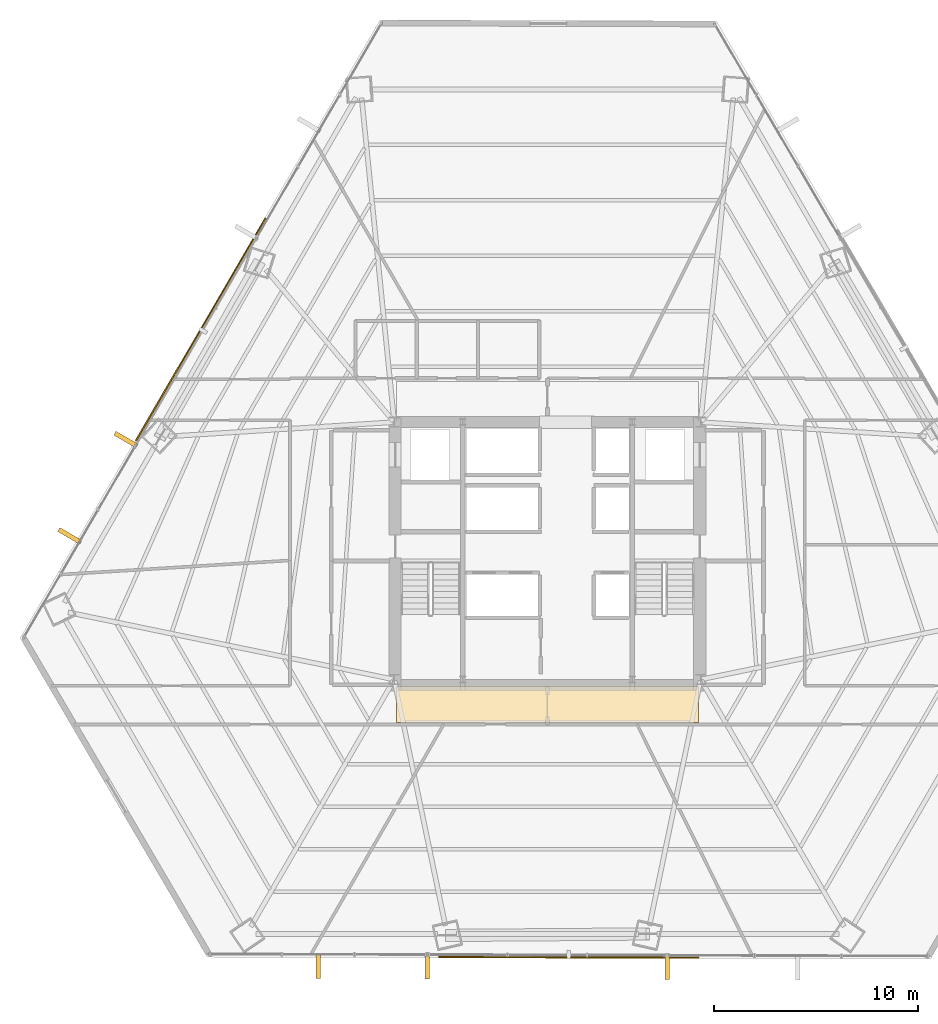
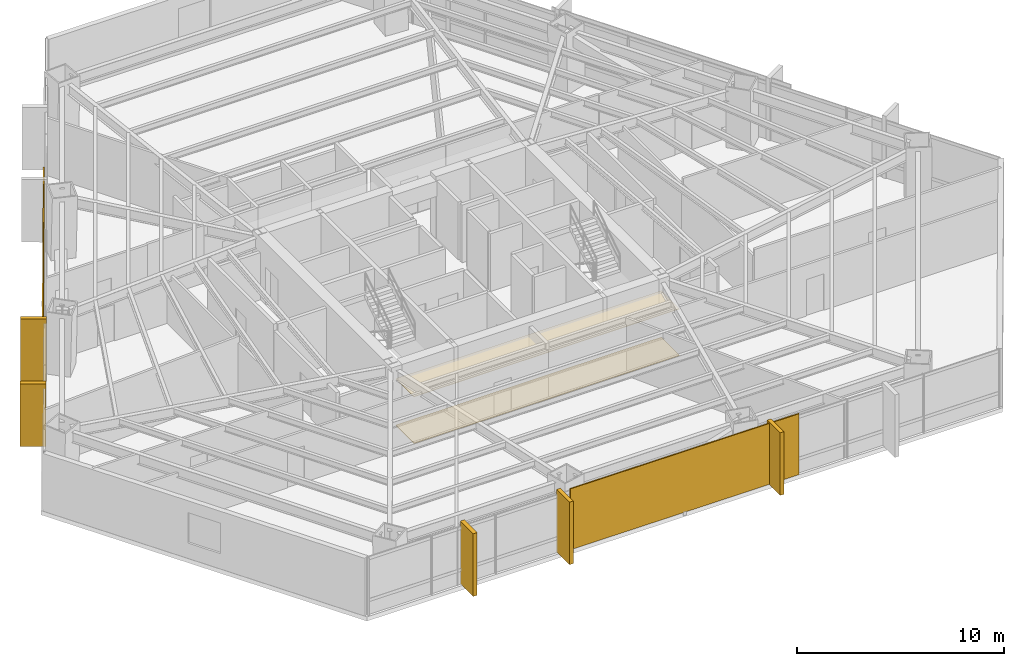
# One storey, part 27 of 29: 7 coverings, 2 shading devices.
"""IFC4 building model written with IfcOpenShell, lengths in metres."""

from ifc_helpers import new_model, si_unit, direction, frame, origin, origin_2d, place, context, subcontext, project, spatial, polyline, rectangle, outline, extrude, source, transform, mapped, material, layer, layer_set, type_object, type_shapes, element, save


model = new_model("IFC4")

# Units and contexts
model_context = context("Model", 3, precision=1e-05, world=origin(), true_north=direction((0.0, 1.0)))
body_context = subcontext(model_context, "Body", "Model", "MODEL_VIEW")
ifc_project = project(units=[si_unit("LENGTHUNIT", "METRE"), si_unit("AREAUNIT", "SQUARE_METRE"), si_unit("VOLUMEUNIT", "CUBIC_METRE"), si_unit("PLANEANGLEUNIT", "RADIAN"), si_unit("MASSUNIT", "GRAM", prefix="KILO")], contexts=[model_context])

# Site, building, storey
site_placement = place(None, origin())
site = spatial("IfcSite", under=ifc_project, at=site_placement, CompositionType="ELEMENT")
building_placement = place(site_placement, origin())
building = spatial("IfcBuilding", under=site, at=building_placement, Name="Caelisora Broadcast Tower", CompositionType="ELEMENT")
storey_placement = place(building_placement, frame((0.0, 0.0, 31.25)))
storey = spatial("IfcBuildingStorey", under=building, at=storey_placement, Name="L07", CompositionType="ELEMENT", Elevation=31.25)

# Coverings
ifc_material_1 = material(Name="Perforated Mineral-Fibre Acoustic Ceiling Tile", Category="gypsum")
ifc_layer_1 = layer(ifc_material_1, 0.034912109375, Name="Perforated Mineral-Fibre Acoustic Ceiling Tile")
ifc_layer_set_1 = layer_set([ifc_layer_1], Name="Perforated Mineral-Fibre Acoustic Ceiling Tile")
covering_type_1 = type_object("IfcCoveringType", Name="CE-1", PredefinedType="CEILING", material=ifc_layer_set_1)
covering_1_placement = place(storey_placement, frame((0.0, 0.0, 2.75)))
element("IfcCovering", 1, at=covering_1_placement, inside=storey, type_object=covering_type_1, Name="L07 acoustic corridor ceiling CE-1 (S)", PredefinedType="CEILING", context=body_context, shape_type="SweptSolid", body=[
    extrude(outline(polyline([(30.60009765625, 15.300048828125), (45.39990234375, 15.300048828125), (45.39990234375, 17.050048828125), (30.60009765625, 17.050048828125), (30.60009765625, 15.300048828125)])), origin(), (0.0, 0.0, 1.0), 0.034912109375),
])
ifc_material_2 = material(Name="Anti-Static Broadcast Raised Access Floor Panel", Category="steel")
ifc_layer_2 = layer(ifc_material_2, 0.044921875, Name="Anti-Static Broadcast Raised Access Floor Panel")
ifc_layer_set_2 = layer_set([ifc_layer_2], Name="Anti-Static Broadcast Raised Access Floor Panel")
covering_type_2 = type_object("IfcCoveringType", Name="FL-1", PredefinedType="FLOORING", material=ifc_layer_set_2)
covering_2_placement = place(storey_placement, origin())
element("IfcCovering", 2, at=covering_2_placement, inside=storey, type_object=covering_type_2, Name="L07 broadcast raised access floor FL-1 (S)", PredefinedType="FLOORING", context=body_context, shape_type="SweptSolid", body=[
    extrude(outline(polyline([(30.60009765625, 15.300048828125), (45.39990234375, 15.300048828125), (45.39990234375, 17.050048828125), (30.60009765625, 17.050048828125), (30.60009765625, 15.300048828125)])), origin(), (0.0, 0.0, 1.0), 0.044921875),
])
ifc_material_3 = material(Name="Kiln-Fired Terracotta Spandrel Rainscreen Cladding", Category="ceramic")
ifc_layer_3 = layer(ifc_material_3, 0.044921875, Name="Kiln-Fired Terracotta Spandrel Rainscreen Cladding")
ifc_layer_set_3 = layer_set([ifc_layer_3], Name="Kiln-Fired Terracotta Spandrel Rainscreen Cladding")
covering_type_3 = type_object("IfcCoveringType", Name="CL-1", PredefinedType="CLADDING", material=ifc_layer_set_3)
shared_shape_1 = source(origin(), body_context, "Body", "SweptSolid", [
    extrude(rectangle(XDim=0.219970703125, YDim=1.25, at=origin_2d()), origin(), (0.0, 0.0, 1.0), 3.68994140625),
])
type_shapes(covering_type_3, [shared_shape_1])
for number, where, z_axis, x_axis, name in (
    (3, (43.864501953125, 3.334228515625, -0.02001953125), (0.0, 0.0, 1.0), (-0.9999961009, 0.002792523174, 0.0), "L07 vertical solar fin cladding #2-2"),
    (4, (32.127197265625, 3.366455078125, -0.02001953125), (0.0, 0.0, 1.0), (-0.9999961009, 0.002792523174, 0.0), "L07 vertical solar fin cladding #2-3"),
    (5, (26.775390625, 3.38134765625, -0.02001953125), (0.0, 0.0, 1.0), (-0.9999961009, 0.002792523174, 0.0), "L07 vertical solar fin cladding #2-4"),
    (6, (14.6171875, 24.4287109375, -0.02001953125), (0.0, 0.0, 1.0), (0.503321604797, 0.864099162217, 0.0), "L07 vertical solar fin cladding #3-1"),
    (7, (17.363037109375, 29.143798828125, -0.02001953125), (0.0, 0.0, 1.0), (0.503321604797, 0.864099162217, 0.0), "L07 vertical solar fin cladding #3-2"),
):
    element("IfcCovering", number, at=place(storey_placement, frame(where, z_axis=z_axis, x_axis=x_axis)), inside=storey, type_object=covering_type_3, Name=name, PredefinedType="CLADDING", context=body_context, shape_type="MappedRepresentation", body=[
        mapped(shared_shape_1, transform((0.0, 0.0, 0.0), scale=1.0)),
    ])

# Shading devices
ifc_material_4 = material(Name="Perforated Glazed Terracotta Baguette Solar Screen", Category="ceramic")
ifc_layer_4 = layer(ifc_material_4, 0.06494140625, Name="Perforated Glazed Terracotta Baguette Solar Screen")
ifc_layer_set_4 = layer_set([ifc_layer_4], Name="Perforated Glazed Terracotta Baguette Solar Screen")
shading_device_type = type_object("IfcShadingDeviceType", Name="SS-1", PredefinedType="USERDEFINED", material=ifc_layer_set_4)
shared_shape_2 = source(origin(), body_context, "Body", "SweptSolid", [
    extrude(rectangle(XDim=12.60400390625, YDim=0.06494140625, at=origin_2d()), origin(), (0.0, 0.0, 1.0), 3.590087890625),
])
shading_device_1_placement = place(storey_placement, frame((21.025634765625, 34.538330078125, 0.0), z_axis=(0.0, 0.0, 1.0), x_axis=(-0.503321604797, -0.864099162217, 0.0)))
element("IfcShadingDevice", 8, at=shading_device_1_placement, inside=storey, type_object=shading_device_type, Name="L07 perforated terracotta solar screen #1", ObjectType="SOLAR SCREEN", PredefinedType="USERDEFINED", context=body_context, shape_type="MappedRepresentation", body=[
    mapped(shared_shape_2, transform((0.0, 0.0, 0.0), scale=1.0)),
])
shared_shape_3 = source(origin(), body_context, "Body", "SweptSolid", [
    extrude(rectangle(XDim=12.7470703125, YDim=0.06494140625, at=origin_2d()), origin(), (0.0, 0.0, 1.0), 3.590087890625),
])
type_shapes(shading_device_type, [shared_shape_2, shared_shape_3])
shading_device_2_placement = place(storey_placement, frame((39.043212890625, 3.797607421875, 0.0), z_axis=(0.0, 0.0, 1.0), x_axis=(0.9999961009, -0.002792523174, 0.0)))
element("IfcShadingDevice", 9, at=shading_device_2_placement, inside=storey, type_object=shading_device_type, Name="L07 perforated terracotta solar screen #2", ObjectType="SOLAR SCREEN", PredefinedType="USERDEFINED", context=body_context, shape_type="MappedRepresentation", body=[
    mapped(shared_shape_3, transform((0.0, 0.0, 0.0), scale=1.0)),
])

save(model, "model.ifc")
